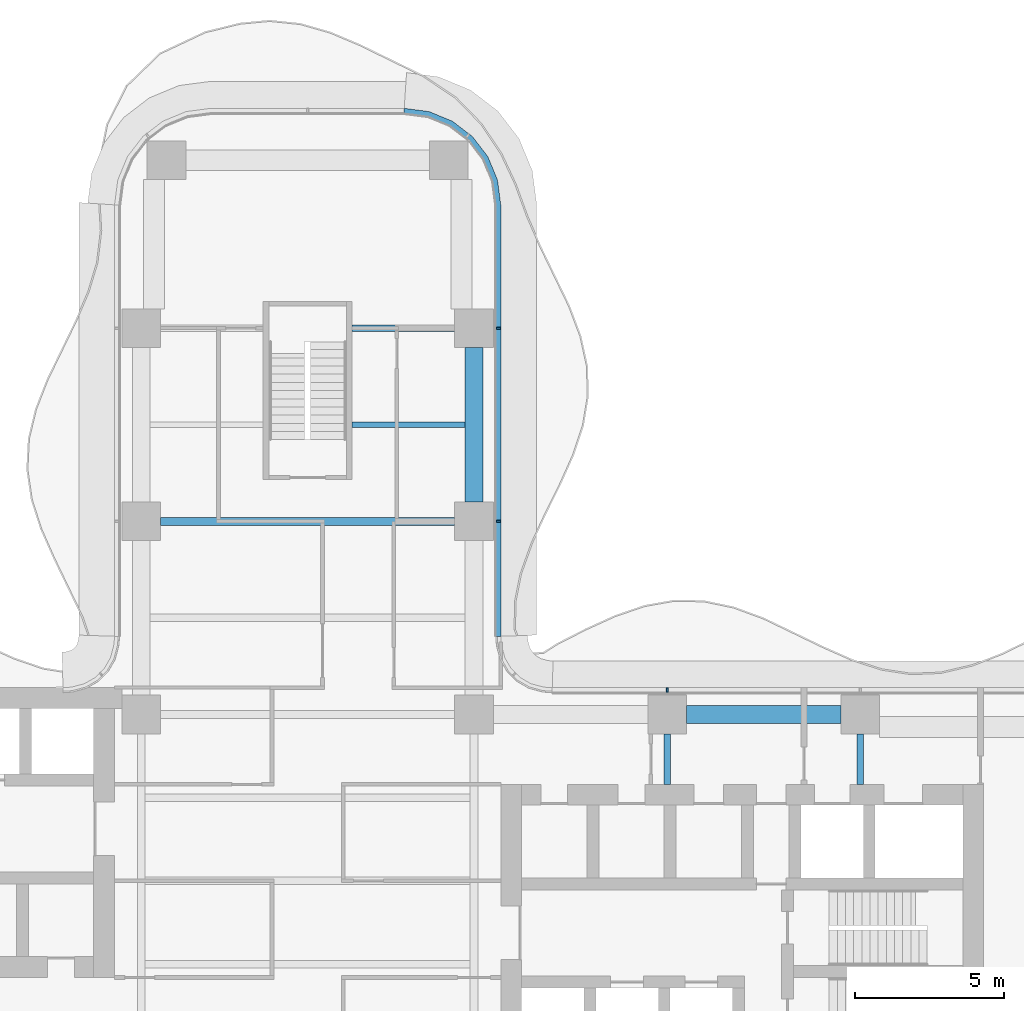
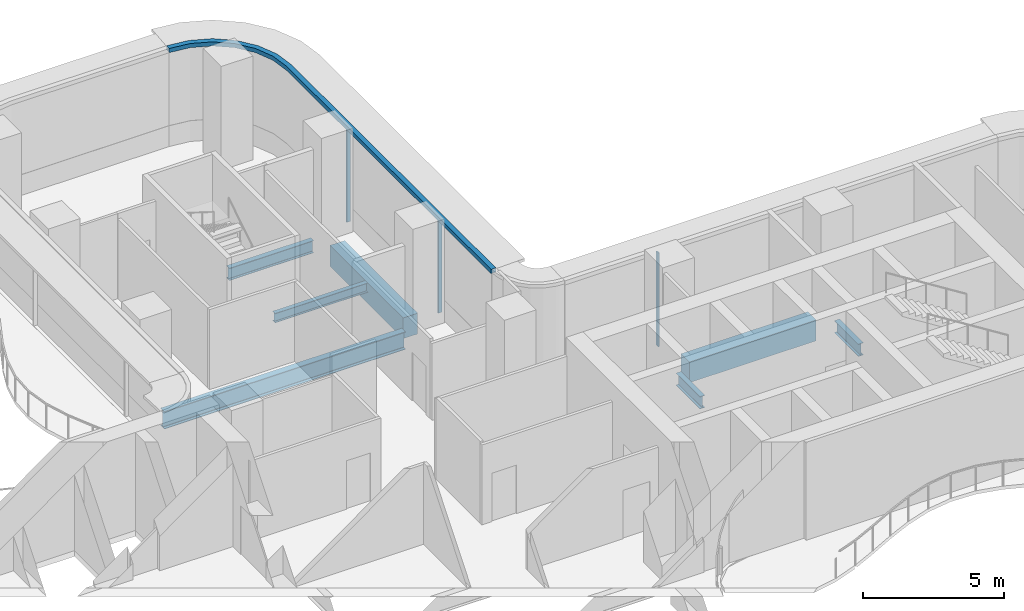
# One storey, part 10 of 21: 7 beams, 4 members, 2 elements without a shape of their own.
"""IFC4 building model written with IfcOpenShell, lengths in metres."""

from ifc_helpers import new_model, si_unit, direction, frame, origin, origin_2d, place, context, subcontext, project, spatial, polyline, rectangle, i_section, outline, extrude, source, transform, mapped, material, layer, layer_set, material_profile, profile_set, type_object, element, aggregate, save


model = new_model("IFC4")

# Units and contexts
model_context = context("Model", 3, precision=1e-05, world=origin(), true_north=direction((0.0, 1.0)))
body_context = subcontext(model_context, "Body", "Model", "MODEL_VIEW")
ifc_project = project(units=[si_unit("LENGTHUNIT", "METRE"), si_unit("AREAUNIT", "SQUARE_METRE"), si_unit("VOLUMEUNIT", "CUBIC_METRE"), si_unit("PLANEANGLEUNIT", "RADIAN"), si_unit("MASSUNIT", "GRAM", prefix="KILO")], contexts=[model_context])

# Site, building, storey
site_placement = place(None, origin())
site = spatial("IfcSite", under=ifc_project, at=site_placement, CompositionType="ELEMENT")
building_placement = place(site_placement, origin())
building = spatial("IfcBuilding", under=site, at=building_placement, Name="Trellis Farm Tower", CompositionType="ELEMENT")
storey_placement = place(building_placement, frame((0.0, 0.0, 102.0)))
storey = spatial("IfcBuildingStorey", under=building, at=storey_placement, Name="L21", CompositionType="ELEMENT", Elevation=102.0)

# Beams
ifc_material_1 = material(Name="Steel S355", Category="steel")
ifc_material_profile_1 = material_profile(ifc_material_1, i_section(OverallWidth=0.177978515625, OverallDepth=0.406494140625, WebThickness=0.0078125, FlangeThickness=0.0126953125, FilletRadius=0.01025390625, at=origin_2d()), Name="UB 406x178x60")
ifc_profile_set_1 = profile_set([ifc_material_profile_1], Name="Steel S355")
beam_type_1 = type_object("IfcBeamType", Name="UB 406x178x60 joist", PredefinedType="JOIST", material=ifc_profile_set_1)
shared_shape_1 = source(origin(), body_context, "Body", "SweptSolid", [
    extrude(i_section(OverallWidth=0.177978515625, OverallDepth=0.406494140625, WebThickness=0.0078125, FlangeThickness=0.0126953125, FilletRadius=0.01025390625, at=origin_2d()), origin(), (0.0, 0.0, 1.0), 3.800048828125),
])
beam_1_placement = place(storey_placement, frame((1.5, 15.35009765625, -0.453125), z_axis=(1.0, 0.0, 0.0), x_axis=(0.0, 1.0, 0.0)))
element("IfcBeam", 1, at=beam_1_placement, inside=storey, type_object=beam_type_1, Name="Floor beam", PredefinedType="JOIST", context=body_context, shape_type="MappedRepresentation", body=[
    mapped(shared_shape_1, transform((0.0, 0.0, 0.0))),
])
ifc_material_profile_2 = material_profile(ifc_material_1, i_section(OverallWidth=0.209228515625, OverallDepth=0.533203125, WebThickness=0.010009765625, FlangeThickness=0.015625, FilletRadius=0.0126953125, at=origin_2d()), Name="UB 533x210x92")
ifc_profile_set_2 = profile_set([ifc_material_profile_2], Name="Steel S355")
beam_type_2 = type_object("IfcBeamType", Name="UB 533x210x92", PredefinedType="BEAM", material=ifc_profile_set_2)
shared_shape_2 = source(origin(), body_context, "Body", "SweptSolid", [
    extrude(i_section(OverallWidth=0.209228515625, OverallDepth=0.533203125, WebThickness=0.010009765625, FlangeThickness=0.015625, FilletRadius=0.0126953125, at=origin_2d()), origin(), (0.0, 0.0, 1.0), 3.449951171875),
])
beam_2_placement = place(storey_placement, frame((1.5, 18.60009765625, -0.5166015625), z_axis=(1.0, 0.0, 0.0), x_axis=(0.0, 1.0, 0.0)))
element("IfcBeam", 2, at=beam_2_placement, inside=storey, type_object=beam_type_2, Name="Girder", PredefinedType="BEAM", context=body_context, shape_type="MappedRepresentation", body=[
    mapped(shared_shape_2, transform((0.0, 0.0, 0.0))),
])
ifc_material_profile_3 = material_profile(ifc_material_1, i_section(OverallWidth=0.2666015625, OverallDepth=0.76220703125, WebThickness=0.014404296875, FlangeThickness=0.021484375, FilletRadius=0.0166015625, at=origin_2d()), Name="UB 762x267x173")
ifc_profile_set_3 = profile_set([ifc_material_profile_3], Name="Steel S355")
beam_type_3 = type_object("IfcBeamType", Name="UB 762x267x173", PredefinedType="BEAM", material=ifc_profile_set_3)
shared_shape_3 = source(origin(), body_context, "Body", "SweptSolid", [
    extrude(i_section(OverallWidth=0.2666015625, OverallDepth=0.76220703125, WebThickness=0.014404296875, FlangeThickness=0.021484375, FilletRadius=0.0166015625, at=origin_2d()), origin(), (0.0, 0.0, 1.0), 9.89990234375),
])
beam_3_placement = place(storey_placement, frame((-4.949951171875, 12.10009765625, -0.631103515625), z_axis=(1.0, 0.0, 0.0), x_axis=(0.0, 1.0, 0.0)))
element("IfcBeam", 3, at=beam_3_placement, inside=storey, type_object=beam_type_3, Name="Girder", PredefinedType="BEAM", context=body_context, shape_type="MappedRepresentation", body=[
    mapped(shared_shape_3, transform((0.0, 0.0, 0.0))),
])
shared_shape_4 = source(origin(), body_context, "Body", "SweptSolid", [
    extrude(i_section(OverallWidth=0.209228515625, OverallDepth=0.533203125, WebThickness=0.010009765625, FlangeThickness=0.015625, FilletRadius=0.0126953125, at=origin_2d()), origin(), (0.0, 0.0, 1.0), 1.699951171875),
])
for number, where, z_axis, x_axis, name in (
    (4, (12.10009765625, 3.25, -0.5166015625), (0.0, 1.0, 0.0), (-1.0, 0.0, 0.0), "Girder"),
    (5, (18.60009765625, 3.25, -0.5166015625), (0.0, 1.0, 0.0), (-1.0, 0.0, 0.0), "Girder"),
):
    element("IfcBeam", number, at=place(storey_placement, frame(where, z_axis=z_axis, x_axis=x_axis)), inside=storey, type_object=beam_type_2, Name=name, PredefinedType="BEAM", context=body_context, shape_type="MappedRepresentation", body=[
        mapped(shared_shape_4, transform((0.0, 0.0, 0.0))),
    ])
ifc_material_2 = material(Name="Concrete C60/75", Category="concrete")
ifc_material_profile_4 = material_profile(ifc_material_2, rectangle(XDim=0.60009765625, YDim=0.89990234375, at=origin_2d()), Name="RC spandrel beam 600x900 C60/75")
ifc_profile_set_4 = profile_set([ifc_material_profile_4], Name="Concrete C60/75")
beam_type_4 = type_object("IfcBeamType", Name="RC spandrel beam 600x900 C60/75", PredefinedType="SPANDREL", material=ifc_profile_set_4)
shared_shape_5 = source(origin(), body_context, "Body", "SweptSolid", [
    extrude(rectangle(XDim=0.60009765625, YDim=0.89990234375, at=origin_2d()), origin(), (0.0, 0.0, 1.0), 5.199951171875),
])
for number, where, z_axis, x_axis, name in (
    (6, (12.75, 5.60009765625, -0.699951171875), (1.0, 0.0, 0.0), (0.0, 1.0, 0.0), "Girder"),
    (7, (5.60009765625, 12.75, -0.699951171875), (0.0, 1.0, 0.0), (-1.0, 0.0, 0.0), "Girder"),
):
    element("IfcBeam", number, at=place(storey_placement, frame(where, z_axis=z_axis, x_axis=x_axis)), inside=storey, type_object=beam_type_4, Name=name, PredefinedType="SPANDREL", context=body_context, shape_type="MappedRepresentation", body=[
        mapped(shared_shape_5, transform((0.0, 0.0, 0.0))),
    ])

# Curtain wall, member
ifc_material_3 = material(Name="Aluminium and glass curtain wall", Category="aluminium")
ifc_layer_1 = layer(ifc_material_3, 0.18994140625)
ifc_layer_set_1 = layer_set([ifc_layer_1], Name="RIBBON CURTAIN WALL CW1")
curtain_wall_type = type_object("IfcCurtainWallType", Name="RIBBON CURTAIN WALL CW1", PredefinedType="NOTDEFINED", material=ifc_layer_set_1)
placement = place(storey_placement, origin())
curtain_wall_1 = element("IfcCurtainWall", 8, at=placement, inside=storey, type_object=curtain_wall_type, Name="CW1 008", PredefinedType="NOTDEFINED")
ifc_material_4 = material(Name="Aluminium extrusion 6063-T6", Category="aluminium")
ifc_material_profile_5 = material_profile(ifc_material_4, rectangle(XDim=0.06005859375, YDim=0.14990234375, at=origin_2d()), Name="MULLION 60x150")
ifc_profile_set_5 = profile_set([ifc_material_profile_5], Name="Aluminium extrusion 6063-T6")
member_type_1 = type_object("IfcMemberType", Name="CW1 MULLION 60x150", PredefinedType="MULLION", material=ifc_profile_set_5)
shared_shape_6 = source(origin(), body_context, "Body", "SweptSolid", [
    extrude(rectangle(XDim=0.06005859375, YDim=0.14990234375, at=origin_2d()), origin(), (0.0, 0.0, 1.0), 4.070068359375),
])
member_1_placement = place(storey_placement, frame((12.10009765625, 6.425048828125, 0.0), z_axis=(0.0, 0.0, 1.0), x_axis=(-1.0, 0.0, 0.0)))
member_1 = element("IfcMember", 9, at=member_1_placement, type_object=member_type_1, Name="MU1 008-02", PredefinedType="MULLION", context=body_context, shape_type="MappedRepresentation", body=[
    mapped(shared_shape_6, transform((0.0, 0.0, 0.0))),
])
aggregate(curtain_wall_1, [member_1])

# Curtain wall, members
curtain_wall_2 = element("IfcCurtainWall", 10, at=placement, inside=storey, type_object=curtain_wall_type, Name="CW1 009", PredefinedType="NOTDEFINED")
member_2_placement = place(storey_placement, frame((6.425048828125, 12.10009765625, 0.0), z_axis=(0.0, 0.0, 1.0), x_axis=(0.0, 1.0, 0.0)))
member_2 = element("IfcMember", 11, at=member_2_placement, type_object=member_type_1, Name="MU1 009-01", PredefinedType="MULLION", context=body_context, shape_type="MappedRepresentation", body=[
    mapped(shared_shape_6, transform((0.0, 0.0, 0.0))),
])
member_3_placement = place(storey_placement, frame((6.425048828125, 18.60009765625, 0.0), z_axis=(0.0, 0.0, 1.0), x_axis=(0.0, 1.0, 0.0)))
member_3 = element("IfcMember", 12, at=member_3_placement, type_object=member_type_1, Name="MU1 009-02", PredefinedType="MULLION", context=body_context, shape_type="MappedRepresentation", body=[
    mapped(shared_shape_6, transform((0.0, 0.0, 0.0))),
])
ifc_layer_2 = layer(ifc_material_4, 0.199951171875)
ifc_layer_set_2 = layer_set([ifc_layer_2], Name="Aluminium extrusion 6063-T6")
member_type_2 = type_object("IfcMemberType", Name="CW1 TRANSOM 200x180", PredefinedType="USERDEFINED", material=ifc_layer_set_2)
shared_shape_7 = source(origin(), body_context, "Body", "SweptSolid", [
    extrude(outline(polyline([(6.5, 8.2314453125), (6.5, 22.75), (6.38916015625, 23.591064453125), (6.064697265625, 24.375), (5.548095703125, 25.048095703125), (4.875, 25.564697265625), (4.091064453125, 25.88916015625), (3.25, 26.0), (3.23681640625, 25.800048828125), (4.0390625, 25.6943359375), (4.774169921875, 25.389892578125), (5.405517578125, 24.905517578125), (5.889892578125, 24.274169921875), (6.1943359375, 23.5390625), (6.300048828125, 22.73681640625), (6.300048828125, 8.224853515625), (6.5, 8.2314453125)])), origin(), (0.0, 0.0, 1.0), 0.179931640625),
])
member_4_placement = place(storey_placement, frame((0.0, 0.0, 4.070068359375)))
member_4 = element("IfcMember", 13, at=member_4_placement, type_object=member_type_2, Name="TR1 009", ObjectType="TRANSOM", PredefinedType="USERDEFINED", context=body_context, shape_type="MappedRepresentation", body=[
    mapped(shared_shape_7, transform((0.0, 0.0, 0.0))),
])
aggregate(curtain_wall_2, [member_2, member_3, member_4])

save(model, "model.ifc")
